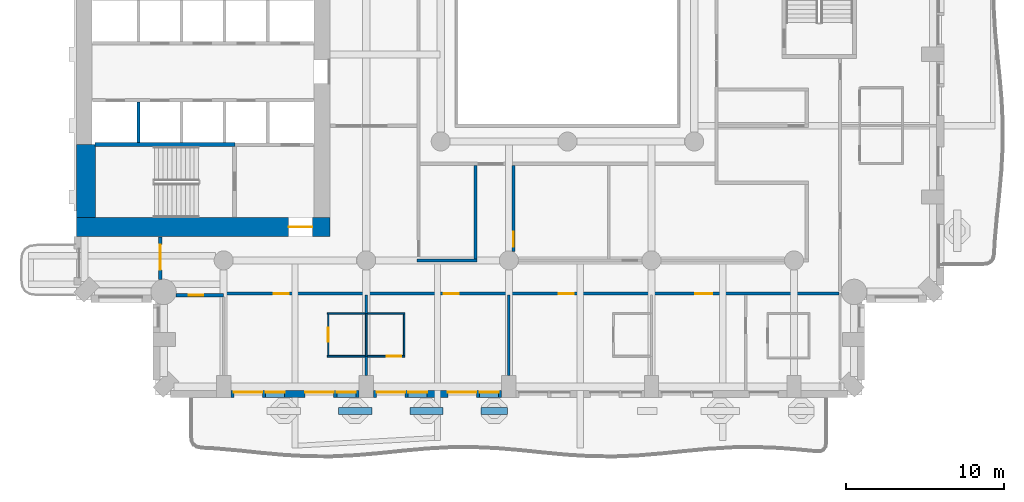
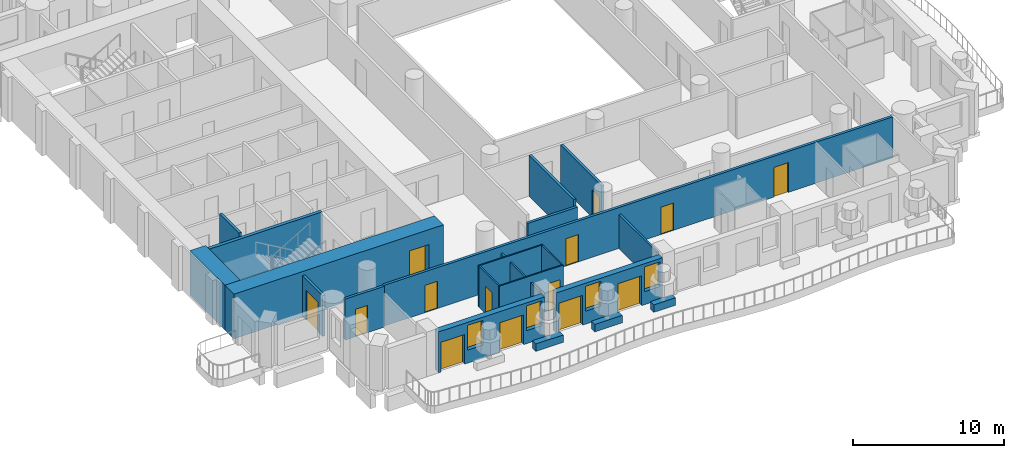
# One storey, part 3 of 19: 23 walls, 14 doors, 4 windows, 18 openings.
"""IFC4 building model written with IfcOpenShell, lengths in metres."""

from ifc_helpers import new_model, si_unit, direction, frame, frame_2d, origin, place, context, subcontext, project, spatial, rectangle, extrude, material, layer, layer_set, type_object, element, fill, save


model = new_model("IFC4")

# Units and contexts
model_context = context("Model", 3, precision=1e-05, world=origin(), true_north=direction((0.0, 1.0)))
body_context = subcontext(model_context, "Body", "Model", "MODEL_VIEW")
ifc_project = project(units=[si_unit("LENGTHUNIT", "METRE"), si_unit("AREAUNIT", "SQUARE_METRE"), si_unit("VOLUMEUNIT", "CUBIC_METRE"), si_unit("PLANEANGLEUNIT", "RADIAN"), si_unit("MASSUNIT", "GRAM", prefix="KILO")], contexts=[model_context])

# Site, building, storey
site_placement = place(None, origin())
site = spatial("IfcSite", under=ifc_project, at=site_placement, CompositionType="ELEMENT")
building_placement = place(site_placement, origin())
building = spatial("IfcBuilding", under=site, at=building_placement, Name="Cypress Arch Tower", CompositionType="ELEMENT")
storey_placement = place(building_placement, frame((0.0, 0.0, 66.300048828125)))
storey = spatial("IfcBuildingStorey", under=building, at=storey_placement, Name="L10", CompositionType="ELEMENT", Elevation=66.300048828125)

# Walls
ifc_material_1 = material(Name="Concrete C40/50, waterproofed", Category="concrete")
ifc_layer_1 = layer(ifc_material_1, 0.449951171875)
ifc_layer_set_1 = layer_set([ifc_layer_1], Name="Balcony planter wall PW450")
wall_type_1 = type_object("IfcWallType", Name="Balcony planter wall PW450", PredefinedType="SOLIDWALL", material=ifc_layer_set_1)
for number, where, z_axis, x_axis, name in (
    (1, (-13.449951171875, -27.0, 0.0), (0.0, 0.0, 1.0), (1.0, 0.0, 0.0), "Balcony planter wall L10-A03.2"),
    (2, (-8.949951171875, -27.0, 0.0), (0.0, 0.0, 1.0), (1.0, 0.0, 0.0), "Balcony planter wall L10-A03.3"),
):
    element("IfcWall", number, at=place(storey_placement, frame(where, z_axis=z_axis, x_axis=x_axis)), inside=storey, type_object=wall_type_1, Name=name, PredefinedType="SOLIDWALL", context=body_context, shape_type="SweptSolid", body=[
        extrude(rectangle(XDim=2.099853515625, YDim=0.449951171875, at=frame_2d((1.0498046875, 0.0))), origin(), (0.0, 0.0, 1.0), 0.599853515625),
    ])
wall_1_placement = place(storey_placement, frame((-4.449951171875, -27.0, 0.0), z_axis=(0.0, 0.0, 1.0), x_axis=(1.0, 0.0, 0.0)))
element("IfcWall", 3, at=wall_1_placement, inside=storey, type_object=wall_type_1, Name="Balcony planter wall L10-A03.4", PredefinedType="SOLIDWALL", context=body_context, shape_type="SweptSolid", body=[
    extrude(rectangle(XDim=1.64990234375, YDim=0.449951171875, at=frame_2d((0.824951171875, 0.0))), origin(), (0.0, 0.0, 1.0), 0.599853515625),
])

# Wall, openings, doors, windows
ifc_material_2 = material(Name="Brick (red buff blend)", Category="masonry")
ifc_layer_2 = layer(ifc_material_2, 0.449951171875)
ifc_layer_set_2 = layer_set([ifc_layer_2], Name="Brick pier and spandrel wall BW450")
wall_type_2 = type_object("IfcWallType", Name="Brick pier and spandrel wall BW450", PredefinedType="SOLIDWALL", material=ifc_layer_set_2)
wall_2_placement = place(storey_placement, frame((-20.25, -25.925048828125, 0.0), z_axis=(0.0, 0.0, 1.0), x_axis=(1.0, 0.0, 0.0)))
wall_2 = element("IfcWall", 4, at=wall_2_placement, inside=storey, type_object=wall_type_2, Name="Brick wall L10 A03.1", PredefinedType="SOLIDWALL", context=body_context, shape_type="SweptSolid", body=[
    extrude(rectangle(XDim=8.10009765625, YDim=0.449951171875, at=frame_2d((4.050048828125, 0.0))), origin(), (0.0, 0.0, 1.0), 3.300048828125),
])
opening_1_placement = place(wall_2_placement, frame((0.199951171875, 0.0, 0.0)))
opening_1 = element("IfcOpeningElement", 5, at=opening_1_placement, cuts=wall_2, Name="Opening D-L10-A03.1.1", PredefinedType="OPENING", context=body_context, shape_type="SweptSolid", body=[
    extrude(rectangle(XDim=1.800048828125, YDim=2.39990234375, at=frame_2d((0.89990234375, 1.199951171875))), frame((0.0, 0.23486328125, 0.0), z_axis=(0.0, -1.0, 0.0), x_axis=(1.0, 0.0, 0.0)), (0.0, 0.0, 1.0), 0.469970703125),
])
opening_2_placement = place(wall_2_placement, frame((2.199951171875, 0.0, 1.050048828125)))
opening_2 = element("IfcOpeningElement", 6, at=opening_2_placement, cuts=wall_2, Name="Opening W120HD", PredefinedType="OPENING", context=body_context, shape_type="SweptSolid", body=[
    extrude(rectangle(XDim=1.199951171875, YDim=2.0, at=frame_2d((0.60009765625, 1.0))), frame((0.0, 0.23486328125, 0.0), z_axis=(0.0, -1.0, 0.0), x_axis=(1.0, 0.0, 0.0)), (0.0, 0.0, 1.0), 0.469970703125),
])
opening_3_placement = place(wall_2_placement, frame((4.699951171875, 0.0, 0.0)))
opening_3 = element("IfcOpeningElement", 7, at=opening_3_placement, cuts=wall_2, Name="Opening D-L10-A03.1.2", PredefinedType="OPENING", context=body_context, shape_type="SweptSolid", body=[
    extrude(rectangle(XDim=1.800048828125, YDim=2.39990234375, at=frame_2d((0.89990234375, 1.199951171875))), frame((0.0, 0.23486328125, 0.0), z_axis=(0.0, -1.0, 0.0), x_axis=(1.0, 0.0, 0.0)), (0.0, 0.0, 1.0), 0.469970703125),
])
opening_4_placement = place(wall_2_placement, frame((6.699951171875, 0.0, 1.050048828125)))
opening_4 = element("IfcOpeningElement", 8, at=opening_4_placement, cuts=wall_2, Name="Opening W120HD", PredefinedType="OPENING", context=body_context, shape_type="SweptSolid", body=[
    extrude(rectangle(XDim=1.199951171875, YDim=2.0, at=frame_2d((0.60009765625, 1.0))), frame((0.0, 0.23486328125, 0.0), z_axis=(0.0, -1.0, 0.0), x_axis=(1.0, 0.0, 0.0)), (0.0, 0.0, 1.0), 0.469970703125),
])
ifc_material_3 = material(Name="Anodised aluminium, bronze finish, laminated low-emissivity double glazing, large-missile impact rated", Category="aluminium")
door_type_1 = type_object("IfcDoorType", Name="Balcony sliding door 1800x2400", OperationType="SLIDING_TO_LEFT", PredefinedType="DOOR", material=ifc_material_3)
door_1_placement = place(opening_1_placement, origin())
door_1 = element("IfcDoor", 9, at=door_1_placement, inside=storey, type_object=door_type_1, Name="Balcony door L10 A03.1.1", OperationType="SLIDING_TO_LEFT", OverallHeight=2.39990234375, OverallWidth=1.800048828125, PredefinedType="DOOR", context=body_context, shape_type="SweptSolid", body=[
    extrude(rectangle(XDim=1.800048828125, YDim=2.39990234375, at=frame_2d((0.89990234375, 1.199951171875))), frame((0.0, 0.1298828125, 0.0), z_axis=(0.0, -1.0, 0.0), x_axis=(1.0, 0.0, 0.0)), (0.0, 0.0, 1.0), 0.050048828125),
])
fill(opening_1, door_1)
door_2_placement = place(opening_3_placement, origin())
door_2 = element("IfcDoor", 10, at=door_2_placement, inside=storey, type_object=door_type_1, Name="Balcony door L10 A03.1.2", OperationType="SLIDING_TO_LEFT", OverallHeight=2.39990234375, OverallWidth=1.800048828125, PredefinedType="DOOR", context=body_context, shape_type="SweptSolid", body=[
    extrude(rectangle(XDim=1.800048828125, YDim=2.39990234375, at=frame_2d((0.89990234375, 1.199951171875))), frame((0.0, 0.1298828125, 0.0), z_axis=(0.0, -1.0, 0.0), x_axis=(1.0, 0.0, 0.0)), (0.0, 0.0, 1.0), 0.050048828125),
])
fill(opening_3, door_2)
ifc_material_4 = material(Name="Anodised aluminium, bronze finish, laminated low-emissivity double glazing, large-missile impact rated", Category="aluminium")
window_type = type_object("IfcWindowType", Name="Window Hotel 1200x2000 debris-rated", PartitioningType="SINGLE_PANEL", PredefinedType="WINDOW", material=ifc_material_4)
window_1_placement = place(opening_2_placement, origin())
window_1 = element("IfcWindow", 11, at=window_1_placement, inside=storey, type_object=window_type, Name="Window L10 A03.1.1", OverallHeight=2.0, OverallWidth=1.199951171875, PartitioningType="SINGLE_PANEL", PredefinedType="WINDOW", context=body_context, shape_type="SweptSolid", body=[
    extrude(rectangle(XDim=1.199951171875, YDim=2.0, at=frame_2d((0.60009765625, 1.0))), frame((0.0, 0.135009765625, 0.0), z_axis=(0.0, -1.0, 0.0), x_axis=(1.0, 0.0, 0.0)), (0.0, 0.0, 1.0), 0.06005859375),
])
fill(opening_2, window_1)
window_2_placement = place(opening_4_placement, origin())
window_2 = element("IfcWindow", 12, at=window_2_placement, inside=storey, type_object=window_type, Name="Window L10 A03.1.2", OverallHeight=2.0, OverallWidth=1.199951171875, PartitioningType="SINGLE_PANEL", PredefinedType="WINDOW", context=body_context, shape_type="SweptSolid", body=[
    extrude(rectangle(XDim=1.199951171875, YDim=2.0, at=frame_2d((0.60009765625, 1.0))), frame((0.0, 0.135009765625, 0.0), z_axis=(0.0, -1.0, 0.0), x_axis=(1.0, 0.0, 0.0)), (0.0, 0.0, 1.0), 0.06005859375),
])
fill(opening_4, window_2)

wall_3_placement = place(storey_placement, frame((-11.25, -25.925048828125, 0.0), z_axis=(0.0, 0.0, 1.0), x_axis=(1.0, 0.0, 0.0)))
wall_3 = element("IfcWall", 13, at=wall_3_placement, inside=storey, type_object=wall_type_2, Name="Brick wall L10 A03.2", PredefinedType="SOLIDWALL", context=body_context, shape_type="SweptSolid", body=[
    extrude(rectangle(XDim=8.10009765625, YDim=0.449951171875, at=frame_2d((4.050048828125, 0.0))), origin(), (0.0, 0.0, 1.0), 3.300048828125),
])
opening_5_placement = place(wall_3_placement, frame((0.199951171875, 0.0, 0.0)))
opening_5 = element("IfcOpeningElement", 14, at=opening_5_placement, cuts=wall_3, Name="Opening D-L10-A03.2.1", PredefinedType="OPENING", context=body_context, shape_type="SweptSolid", body=[
    extrude(rectangle(XDim=1.800048828125, YDim=2.39990234375, at=frame_2d((0.89990234375, 1.199951171875))), frame((0.0, 0.23486328125, 0.0), z_axis=(0.0, -1.0, 0.0), x_axis=(1.0, 0.0, 0.0)), (0.0, 0.0, 1.0), 0.469970703125),
])
opening_6_placement = place(wall_3_placement, frame((2.199951171875, 0.0, 1.050048828125)))
opening_6 = element("IfcOpeningElement", 15, at=opening_6_placement, cuts=wall_3, Name="Opening W120HD", PredefinedType="OPENING", context=body_context, shape_type="SweptSolid", body=[
    extrude(rectangle(XDim=1.199951171875, YDim=2.0, at=frame_2d((0.60009765625, 1.0))), frame((0.0, 0.23486328125, 0.0), z_axis=(0.0, -1.0, 0.0), x_axis=(1.0, 0.0, 0.0)), (0.0, 0.0, 1.0), 0.469970703125),
])
opening_7_placement = place(wall_3_placement, frame((4.699951171875, 0.0, 0.0)))
opening_7 = element("IfcOpeningElement", 16, at=opening_7_placement, cuts=wall_3, Name="Opening D-L10-A03.2.2", PredefinedType="OPENING", context=body_context, shape_type="SweptSolid", body=[
    extrude(rectangle(XDim=1.800048828125, YDim=2.39990234375, at=frame_2d((0.89990234375, 1.199951171875))), frame((0.0, 0.23486328125, 0.0), z_axis=(0.0, -1.0, 0.0), x_axis=(1.0, 0.0, 0.0)), (0.0, 0.0, 1.0), 0.469970703125),
])
opening_8_placement = place(wall_3_placement, frame((6.699951171875, 0.0, 1.050048828125)))
opening_8 = element("IfcOpeningElement", 17, at=opening_8_placement, cuts=wall_3, Name="Opening W120HD", PredefinedType="OPENING", context=body_context, shape_type="SweptSolid", body=[
    extrude(rectangle(XDim=1.199951171875, YDim=2.0, at=frame_2d((0.60009765625, 1.0))), frame((0.0, 0.23486328125, 0.0), z_axis=(0.0, -1.0, 0.0), x_axis=(1.0, 0.0, 0.0)), (0.0, 0.0, 1.0), 0.469970703125),
])
door_3_placement = place(opening_5_placement, origin())
door_3 = element("IfcDoor", 18, at=door_3_placement, inside=storey, type_object=door_type_1, Name="Balcony door L10 A03.2.1", OperationType="SLIDING_TO_LEFT", OverallHeight=2.39990234375, OverallWidth=1.800048828125, PredefinedType="DOOR", context=body_context, shape_type="SweptSolid", body=[
    extrude(rectangle(XDim=1.800048828125, YDim=2.39990234375, at=frame_2d((0.89990234375, 1.199951171875))), frame((0.0, 0.1298828125, 0.0), z_axis=(0.0, -1.0, 0.0), x_axis=(1.0, 0.0, 0.0)), (0.0, 0.0, 1.0), 0.050048828125),
])
fill(opening_5, door_3)
door_4_placement = place(opening_7_placement, origin())
door_4 = element("IfcDoor", 19, at=door_4_placement, inside=storey, type_object=door_type_1, Name="Balcony door L10 A03.2.2", OperationType="SLIDING_TO_LEFT", OverallHeight=2.39990234375, OverallWidth=1.800048828125, PredefinedType="DOOR", context=body_context, shape_type="SweptSolid", body=[
    extrude(rectangle(XDim=1.800048828125, YDim=2.39990234375, at=frame_2d((0.89990234375, 1.199951171875))), frame((0.0, 0.1298828125, 0.0), z_axis=(0.0, -1.0, 0.0), x_axis=(1.0, 0.0, 0.0)), (0.0, 0.0, 1.0), 0.050048828125),
])
fill(opening_7, door_4)
window_3_placement = place(opening_6_placement, origin())
window_3 = element("IfcWindow", 20, at=window_3_placement, inside=storey, type_object=window_type, Name="Window L10 A03.2.1", OverallHeight=2.0, OverallWidth=1.199951171875, PartitioningType="SINGLE_PANEL", PredefinedType="WINDOW", context=body_context, shape_type="SweptSolid", body=[
    extrude(rectangle(XDim=1.199951171875, YDim=2.0, at=frame_2d((0.60009765625, 1.0))), frame((0.0, 0.135009765625, 0.0), z_axis=(0.0, -1.0, 0.0), x_axis=(1.0, 0.0, 0.0)), (0.0, 0.0, 1.0), 0.06005859375),
])
fill(opening_6, window_3)
window_4_placement = place(opening_8_placement, origin())
window_4 = element("IfcWindow", 21, at=window_4_placement, inside=storey, type_object=window_type, Name="Window L10 A03.2.2", OverallHeight=2.0, OverallWidth=1.199951171875, PartitioningType="SINGLE_PANEL", PredefinedType="WINDOW", context=body_context, shape_type="SweptSolid", body=[
    extrude(rectangle(XDim=1.199951171875, YDim=2.0, at=frame_2d((0.60009765625, 1.0))), frame((0.0, 0.135009765625, 0.0), z_axis=(0.0, -1.0, 0.0), x_axis=(1.0, 0.0, 0.0)), (0.0, 0.0, 1.0), 0.06005859375),
])
fill(opening_8, window_4)

# Wall, opening, door
ifc_material_5 = material(Name="Concrete C80/95", Category="concrete")
ifc_layer_3 = layer(ifc_material_5, 1.199951171875)
ifc_layer_set_3 = layer_set([ifc_layer_3], Name="Core wall CW1200 C80/95")
wall_type_3 = type_object("IfcWallType", Name="Core wall CW1200 C80/95", PredefinedType="SHEAR", material=ifc_layer_set_3)
wall_4_placement = place(storey_placement, frame((-30.0, -15.39990234375, 0.0), z_axis=(0.0, 0.0, 1.0), x_axis=(1.0, 0.0, 0.0)))
wall_4 = element("IfcWall", 22, at=wall_4_placement, inside=storey, type_object=wall_type_3, Name="Core wall", PredefinedType="SHEAR", context=body_context, shape_type="SweptSolid", body=[
    extrude(rectangle(XDim=16.0, YDim=1.199951171875, at=frame_2d((8.0, 0.0))), origin(), (0.0, 0.0, 1.0), 3.599853515625),
])
opening_9_placement = place(wall_4_placement, frame((13.39990234375, 0.0, 0.0)))
opening_9 = element("IfcOpeningElement", 23, at=opening_9_placement, cuts=wall_4, Name="Opening D07", PredefinedType="OPENING", context=body_context, shape_type="SweptSolid", body=[
    extrude(rectangle(XDim=1.5, YDim=2.39990234375, at=frame_2d((0.75, 1.199951171875))), frame((0.0, 0.60986328125, 0.0), z_axis=(0.0, -1.0, 0.0), x_axis=(1.0, 0.0, 0.0)), (0.0, 0.0, 1.0), 1.219970703125),
])
ifc_material_6 = material(Name="Steel framed glazed door, fire resisting", Category="steel")
door_type_2 = type_object("IfcDoorType", Name="Lobby door D07 1500x2400", OperationType="DOUBLE_DOOR_SINGLE_SWING", PredefinedType="DOOR", material=ifc_material_6)
door_5_placement = place(opening_9_placement, origin())
door_5 = element("IfcDoor", 24, at=door_5_placement, inside=storey, type_object=door_type_2, Name="Lobby door", OperationType="DOUBLE_DOOR_SINGLE_SWING", OverallHeight=2.39990234375, OverallWidth=1.5, PredefinedType="DOOR", context=body_context, shape_type="SweptSolid", body=[
    extrude(rectangle(XDim=1.5, YDim=2.39990234375, at=frame_2d((0.75, 1.199951171875))), frame((0.0, 0.02490234375, 0.0), z_axis=(0.0, -1.0, 0.0), x_axis=(1.0, 0.0, 0.0)), (0.0, 0.0, 1.0), 0.050048828125),
])
fill(opening_9, door_5)

# Wall
wall_5_placement = place(storey_placement, frame((-29.39990234375, -14.800048828125, 0.0), z_axis=(0.0, 0.0, 1.0), x_axis=(0.0, 1.0, 0.0)))
element("IfcWall", 25, at=wall_5_placement, inside=storey, type_object=wall_type_3, Name="Core wall", PredefinedType="SHEAR", context=body_context, shape_type="SweptSolid", body=[
    extrude(rectangle(XDim=4.60009765625, YDim=1.199951171875, at=frame_2d((2.300048828125, 0.0))), origin(), (0.0, 0.0, 1.0), 3.599853515625),
])

# Wall, opening, door
ifc_material_7 = material(Name="Concrete blockwork, plastered, rated", Category="masonry")
ifc_layer_4 = layer(ifc_material_7, 0.199951171875)
ifc_layer_set_4 = layer_set([ifc_layer_4], Name="Corridor wall FW200")
wall_type_4 = type_object("IfcWallType", Name="Corridor wall FW200", PredefinedType="PARTITIONING", material=ifc_layer_set_4)
wall_6_placement = place(storey_placement, frame((-24.699951171875, -18.7001953125, 0.0), z_axis=(0.0, 0.0, 1.0), x_axis=(0.0, 1.0, 0.0)))
wall_6 = element("IfcWall", 26, at=wall_6_placement, inside=storey, type_object=wall_type_4, Name="Corridor wall", PredefinedType="PARTITIONING", context=body_context, shape_type="SweptSolid", body=[
    extrude(rectangle(XDim=2.670166015625, YDim=0.199951171875, at=frame_2d((1.3349609375, 0.0))), origin(), (0.0, 0.0, 1.0), 3.300048828125),
])
opening_10_placement = place(wall_6_placement, frame((0.60009765625, 0.0, 0.0)))
opening_10 = element("IfcOpeningElement", 27, at=opening_10_placement, cuts=wall_6, Name="Opening D10", PredefinedType="OPENING", context=body_context, shape_type="SweptSolid", body=[
    extrude(rectangle(XDim=1.60009765625, YDim=2.39990234375, at=frame_2d((0.800048828125, 1.199951171875))), frame((0.0, 0.10986328125, 0.0), z_axis=(0.0, -1.0, 0.0), x_axis=(1.0, 0.0, 0.0)), (0.0, 0.0, 1.0), 0.219970703125),
])
ifc_material_8 = material(Name="Black aluminium glazed door", Category="aluminium")
door_type_3 = type_object("IfcDoorType", Name="Amenity door D10 1600x2400", OperationType="DOUBLE_DOOR_SINGLE_SWING", PredefinedType="DOOR", material=ifc_material_8)
door_6_placement = place(opening_10_placement, origin())
door_6 = element("IfcDoor", 28, at=door_6_placement, inside=storey, type_object=door_type_3, Name="Amenity door", OperationType="DOUBLE_DOOR_SINGLE_SWING", OverallHeight=2.39990234375, OverallWidth=1.60009765625, PredefinedType="DOOR", context=body_context, shape_type="SweptSolid", body=[
    extrude(rectangle(XDim=1.60009765625, YDim=2.39990234375, at=frame_2d((0.800048828125, 1.199951171875))), frame((0.0, 0.02490234375, 0.0), z_axis=(0.0, -1.0, 0.0), x_axis=(1.0, 0.0, 0.0)), (0.0, 0.0, 1.0), 0.050048828125),
])
fill(opening_10, door_6)

wall_7_placement = place(storey_placement, frame((-23.7001953125, -19.699951171875, 0.0), z_axis=(0.0, 0.0, 1.0), x_axis=(1.0, 0.0, 0.0)))
wall_7 = element("IfcWall", 29, at=wall_7_placement, inside=storey, type_object=wall_type_4, Name="Corridor wall", PredefinedType="PARTITIONING", context=body_context, shape_type="SweptSolid", body=[
    extrude(rectangle(XDim=3.000244140625, YDim=0.199951171875, at=frame_2d((1.5, 0.0))), origin(), (0.0, 0.0, 1.0), 3.300048828125),
])
opening_11_placement = place(wall_7_placement, frame((0.800048828125, 0.0, 0.0)))
opening_11 = element("IfcOpeningElement", 30, at=opening_11_placement, cuts=wall_7, Name="Opening D05", PredefinedType="OPENING", context=body_context, shape_type="SweptSolid", body=[
    extrude(rectangle(XDim=0.89990234375, YDim=2.199951171875, at=frame_2d((0.449951171875, 1.10009765625))), frame((0.0, 0.10986328125, 0.0), z_axis=(0.0, -1.0, 0.0), x_axis=(1.0, 0.0, 0.0)), (0.0, 0.0, 1.0), 0.219970703125),
])
ifc_material_9 = material(Name="Timber flush door", Category="wood")
door_type_4 = type_object("IfcDoorType", Name="Service door D05 900x2200", OperationType="SINGLE_SWING_LEFT", PredefinedType="DOOR", material=ifc_material_9)
door_7_placement = place(opening_11_placement, origin())
door_7 = element("IfcDoor", 31, at=door_7_placement, inside=storey, type_object=door_type_4, Name="Service door", OperationType="SINGLE_SWING_RIGHT", OverallHeight=2.199951171875, OverallWidth=0.89990234375, PredefinedType="DOOR", context=body_context, shape_type="SweptSolid", body=[
    extrude(rectangle(XDim=0.89990234375, YDim=2.199951171875, at=frame_2d((0.449951171875, 1.10009765625))), frame((0.0, 0.02490234375, 0.0), z_axis=(0.0, -1.0, 0.0), x_axis=(1.0, 0.0, 0.0)), (0.0, 0.0, 1.0), 0.050048828125),
])
fill(opening_11, door_7)

# Wall, openings, doors
wall_8_placement = place(storey_placement, frame((-20.699951171875, -19.60009765625, 0.0), z_axis=(0.0, 0.0, 1.0), x_axis=(1.0, 0.0, 0.0)))
wall_8 = element("IfcWall", 32, at=wall_8_placement, inside=storey, type_object=wall_type_4, Name="Corridor wall", PredefinedType="PARTITIONING", context=body_context, shape_type="SweptSolid", body=[
    extrude(rectangle(XDim=38.824951171875, YDim=0.199951171875, at=frame_2d((19.41259765625, 0.0))), origin(), (0.0, 0.0, 1.0), 3.300048828125),
])
opening_12_placement = place(wall_8_placement, frame((3.14990234375, 0.0, 0.0)))
opening_12 = element("IfcOpeningElement", 33, at=opening_12_placement, cuts=wall_8, Name="Opening D02", PredefinedType="OPENING", context=body_context, shape_type="SweptSolid", body=[
    extrude(rectangle(XDim=0.949951171875, YDim=2.199951171875, at=frame_2d((0.47509765625, 1.10009765625))), frame((0.0, 0.10986328125, 0.0), z_axis=(0.0, -1.0, 0.0), x_axis=(1.0, 0.0, 0.0)), (0.0, 0.0, 1.0), 0.219970703125),
])
opening_13_placement = place(wall_8_placement, frame((13.89990234375, 0.0, 0.0)))
opening_13 = element("IfcOpeningElement", 34, at=opening_13_placement, cuts=wall_8, Name="Opening D02", PredefinedType="OPENING", context=body_context, shape_type="SweptSolid", body=[
    extrude(rectangle(XDim=0.949951171875, YDim=2.199951171875, at=frame_2d((0.47509765625, 1.10009765625))), frame((0.0, 0.10986328125, 0.0), z_axis=(0.0, -1.0, 0.0), x_axis=(1.0, 0.0, 0.0)), (0.0, 0.0, 1.0), 0.219970703125),
])
opening_14_placement = place(wall_8_placement, frame((21.14990234375, 0.0, 0.0)))
opening_14 = element("IfcOpeningElement", 35, at=opening_14_placement, cuts=wall_8, Name="Opening D02", PredefinedType="OPENING", context=body_context, shape_type="SweptSolid", body=[
    extrude(rectangle(XDim=0.949951171875, YDim=2.199951171875, at=frame_2d((0.47509765625, 1.10009765625))), frame((0.0, 0.10986328125, 0.0), z_axis=(0.0, -1.0, 0.0), x_axis=(1.0, 0.0, 0.0)), (0.0, 0.0, 1.0), 0.219970703125),
])
opening_15_placement = place(wall_8_placement, frame((29.75, 0.0, 0.0)))
opening_15 = element("IfcOpeningElement", 36, at=opening_15_placement, cuts=wall_8, Name="Opening D01", PredefinedType="OPENING", context=body_context, shape_type="SweptSolid", body=[
    extrude(rectangle(XDim=1.10009765625, YDim=2.39990234375, at=frame_2d((0.550048828125, 1.199951171875))), frame((0.0, 0.10986328125, 0.0), z_axis=(0.0, -1.0, 0.0), x_axis=(1.0, 0.0, 0.0)), (0.0, 0.0, 1.0), 0.219970703125),
])
ifc_material_10 = material(Name="Timber flush door, fire resisting", Category="wood")
door_type_5 = type_object("IfcDoorType", Name="Room door D02 950x2200", OperationType="SINGLE_SWING_LEFT", PredefinedType="DOOR", material=ifc_material_10)
door_8_placement = place(opening_12_placement, origin())
door_8 = element("IfcDoor", 37, at=door_8_placement, inside=storey, type_object=door_type_5, Name="Room door", OperationType="SINGLE_SWING_RIGHT", OverallHeight=2.199951171875, OverallWidth=0.949951171875, PredefinedType="DOOR", context=body_context, shape_type="SweptSolid", body=[
    extrude(rectangle(XDim=0.949951171875, YDim=2.199951171875, at=frame_2d((0.47509765625, 1.10009765625))), frame((0.0, 0.02490234375, 0.0), z_axis=(0.0, -1.0, 0.0), x_axis=(1.0, 0.0, 0.0)), (0.0, 0.0, 1.0), 0.050048828125),
])
fill(opening_12, door_8)
door_9_placement = place(opening_13_placement, origin())
door_9 = element("IfcDoor", 38, at=door_9_placement, inside=storey, type_object=door_type_5, Name="Room door", OperationType="SINGLE_SWING_RIGHT", OverallHeight=2.199951171875, OverallWidth=0.949951171875, PredefinedType="DOOR", context=body_context, shape_type="SweptSolid", body=[
    extrude(rectangle(XDim=0.949951171875, YDim=2.199951171875, at=frame_2d((0.47509765625, 1.10009765625))), frame((0.0, 0.02490234375, 0.0), z_axis=(0.0, -1.0, 0.0), x_axis=(1.0, 0.0, 0.0)), (0.0, 0.0, 1.0), 0.050048828125),
])
fill(opening_13, door_9)
door_10_placement = place(opening_14_placement, origin())
door_10 = element("IfcDoor", 39, at=door_10_placement, inside=storey, type_object=door_type_5, Name="Room door", OperationType="SINGLE_SWING_LEFT", OverallHeight=2.199951171875, OverallWidth=0.949951171875, PredefinedType="DOOR", context=body_context, shape_type="SweptSolid", body=[
    extrude(rectangle(XDim=0.949951171875, YDim=2.199951171875, at=frame_2d((0.47509765625, 1.10009765625))), frame((0.0, 0.02490234375, 0.0), z_axis=(0.0, -1.0, 0.0), x_axis=(1.0, 0.0, 0.0)), (0.0, 0.0, 1.0), 0.050048828125),
])
fill(opening_14, door_10)
ifc_material_11 = material(Name="Timber flush door, fire resisting, self-closing", Category="wood")
door_type_6 = type_object("IfcDoorType", Name="Unit entrance door D01 1100x2400", OperationType="SINGLE_SWING_LEFT", PredefinedType="DOOR", material=ifc_material_11)
door_11_placement = place(opening_15_placement, origin())
door_11 = element("IfcDoor", 40, at=door_11_placement, inside=storey, type_object=door_type_6, Name="Unit entrance door", OperationType="SINGLE_SWING_LEFT", OverallHeight=2.39990234375, OverallWidth=1.10009765625, PredefinedType="DOOR", context=body_context, shape_type="SweptSolid", body=[
    extrude(rectangle(XDim=1.10009765625, YDim=2.39990234375, at=frame_2d((0.550048828125, 1.199951171875))), frame((0.0, 0.02490234375, 0.0), z_axis=(0.0, -1.0, 0.0), x_axis=(1.0, 0.0, 0.0)), (0.0, 0.0, 1.0), 0.050048828125),
])
fill(opening_15, door_11)

# Walls
wall_9_placement = place(storey_placement, frame((-8.5, -17.5, 0.0), z_axis=(0.0, 0.0, 1.0), x_axis=(1.0, 0.0, 0.0)))
element("IfcWall", 41, at=wall_9_placement, inside=storey, type_object=wall_type_4, Name="Corridor wall", PredefinedType="PARTITIONING", context=body_context, shape_type="SweptSolid", body=[
    extrude(rectangle(XDim=3.800048828125, YDim=0.199951171875, at=frame_2d((1.89990234375, 0.0))), origin(), (0.0, 0.0, 1.0), 2.75),
])
wall_10_placement = place(storey_placement, frame((-4.800048828125, -17.39990234375, 0.0), z_axis=(0.0, 0.0, 1.0), x_axis=(0.0, 1.0, 0.0)))
element("IfcWall", 42, at=wall_10_placement, inside=storey, type_object=wall_type_4, Name="Corridor wall", PredefinedType="PARTITIONING", context=body_context, shape_type="SweptSolid", body=[
    extrude(rectangle(XDim=5.89990234375, YDim=0.199951171875, at=frame_2d((2.949951171875, 0.0))), origin(), (0.0, 0.0, 1.0), 3.300048828125),
])

# Wall, opening, door
wall_11_placement = place(storey_placement, frame((-2.39990234375, -16.943359375, 0.0), z_axis=(0.0, 0.0, 1.0), x_axis=(0.0, 1.0, 0.0)))
wall_11 = element("IfcWall", 43, at=wall_11_placement, inside=storey, type_object=wall_type_4, Name="Corridor wall", PredefinedType="PARTITIONING", context=body_context, shape_type="SweptSolid", body=[
    extrude(rectangle(XDim=5.443359375, YDim=0.199951171875, at=frame_2d((2.7216796875, 0.0))), origin(), (0.0, 0.0, 1.0), 3.300048828125),
])
opening_16_placement = place(wall_11_placement, frame((0.300048828125, 0.0, 0.0)))
opening_16 = element("IfcOpeningElement", 44, at=opening_16_placement, cuts=wall_11, Name="Opening D02", PredefinedType="OPENING", context=body_context, shape_type="SweptSolid", body=[
    extrude(rectangle(XDim=0.949951171875, YDim=2.199951171875, at=frame_2d((0.47509765625, 1.10009765625))), frame((0.0, 0.10986328125, 0.0), z_axis=(0.0, -1.0, 0.0), x_axis=(1.0, 0.0, 0.0)), (0.0, 0.0, 1.0), 0.219970703125),
])
door_12_placement = place(opening_16_placement, origin())
door_12 = element("IfcDoor", 45, at=door_12_placement, inside=storey, type_object=door_type_5, Name="Room door", OperationType="SINGLE_SWING_RIGHT", OverallHeight=2.199951171875, OverallWidth=0.949951171875, PredefinedType="DOOR", context=body_context, shape_type="SweptSolid", body=[
    extrude(rectangle(XDim=0.949951171875, YDim=2.199951171875, at=frame_2d((0.47509765625, 1.10009765625))), frame((0.0, 0.02490234375, 0.0), z_axis=(0.0, -1.0, 0.0), x_axis=(1.0, 0.0, 0.0)), (0.0, 0.0, 1.0), 0.050048828125),
])
fill(opening_16, door_12)

# Walls
ifc_material_12 = material(Name="Blockwork, plastered both sides", Category="masonry")
ifc_layer_5 = layer(ifc_material_12, 0.14990234375)
ifc_layer_set_5 = layer_set([ifc_layer_5], Name="Partition PW150")
wall_type_5 = type_object("IfcWallType", Name="Partition PW150", PredefinedType="PARTITIONING", material=ifc_layer_set_5)
wall_12_placement = place(storey_placement, frame((-11.699951171875, -24.75, 0.0), z_axis=(0.0, 0.0, 1.0), x_axis=(0.0, 1.0, 0.0)))
element("IfcWall", 46, at=wall_12_placement, inside=storey, type_object=wall_type_5, Name="Partition", PredefinedType="PARTITIONING", context=body_context, shape_type="SweptSolid", body=[
    extrude(rectangle(XDim=1.179931640625, YDim=0.14990234375, at=frame_2d((0.58984375, 0.0))), origin(), (0.0, 0.0, 1.0), 2.75),
])
wall_13_placement = place(storey_placement, frame((-11.699951171875, -20.85009765625, 0.0), z_axis=(0.0, 0.0, 1.0), x_axis=(0.0, 1.0, 0.0)))
element("IfcWall", 47, at=wall_13_placement, inside=storey, type_object=wall_type_5, Name="Partition", PredefinedType="PARTITIONING", context=body_context, shape_type="SweptSolid", body=[
    extrude(rectangle(XDim=1.150146484375, YDim=0.14990234375, at=frame_2d((0.5751953125, 0.0))), origin(), (0.0, 0.0, 1.0), 2.75),
])
wall_14_placement = place(storey_placement, frame((-2.699951171875, -24.75, 0.0), z_axis=(0.0, 0.0, 1.0), x_axis=(0.0, 1.0, 0.0)))
element("IfcWall", 48, at=wall_14_placement, inside=storey, type_object=wall_type_5, Name="Partition", PredefinedType="PARTITIONING", context=body_context, shape_type="SweptSolid", body=[
    extrude(rectangle(XDim=5.050048828125, YDim=0.14990234375, at=frame_2d((2.52490234375, 0.0))), origin(), (0.0, 0.0, 1.0), 2.75),
])
ifc_material_13 = material(Name="Concrete C50/60", Category="concrete")
ifc_layer_6 = layer(ifc_material_13, 0.199951171875)
ifc_layer_set_6 = layer_set([ifc_layer_6], Name="Shaft wall SH200")
wall_type_6 = type_object("IfcWallType", Name="Shaft wall SH200", PredefinedType="SHEAR", material=ifc_layer_set_6)
wall_15_placement = place(storey_placement, frame((-26.080078125, -10.074951171875, 0.0), z_axis=(0.0, 0.0, 1.0), x_axis=(0.0, 1.0, 0.0)))
element("IfcWall", 49, at=wall_15_placement, inside=storey, type_object=wall_type_6, Name="Shaft wall", PredefinedType="SHEAR", context=body_context, shape_type="SweptSolid", body=[
    extrude(rectangle(XDim=2.574951171875, YDim=0.199951171875, at=frame_2d((1.28759765625, 0.0))), origin(), (0.0, 0.0, 1.0), 3.599853515625),
])
ifc_material_14 = material(Name="Concrete C50/60", Category="concrete")
ifc_layer_7 = layer(ifc_material_14, 0.25)
ifc_layer_set_7 = layer_set([ifc_layer_7], Name="Stair enclosure wall SW250")
wall_type_7 = type_object("IfcWallType", Name="Stair enclosure wall SW250", PredefinedType="SHEAR", material=ifc_layer_set_7)
wall_16_placement = place(storey_placement, frame((-28.81005859375, -10.199951171875, 0.0), z_axis=(0.0, 0.0, 1.0), x_axis=(1.0, 0.0, 0.0)))
element("IfcWall", 50, at=wall_16_placement, inside=storey, type_object=wall_type_7, Name="Stair enclosure wall", PredefinedType="SHEAR", context=body_context, shape_type="SweptSolid", body=[
    extrude(rectangle(XDim=8.830078125, YDim=0.25, at=frame_2d((4.4150390625, 0.0))), origin(), (0.0, 0.0, 1.0), 3.300048828125),
])

# Wall, opening, door
ifc_material_15 = material(Name="Moisture resistant board on steel studs, tiled", Category="steel")
ifc_layer_8 = layer(ifc_material_15, 0.10009765625)
ifc_layer_set_8 = layer_set([ifc_layer_8], Name="Wet wall PW100")
wall_type_8 = type_object("IfcWallType", Name="Wet wall PW100", PredefinedType="PARTITIONING", material=ifc_layer_set_8)
wall_17_placement = place(storey_placement, frame((-14.095947265625, -23.5, 0.0), z_axis=(0.0, 0.0, 1.0), x_axis=(0.0, 1.0, 0.0)))
wall_17 = element("IfcWall", 51, at=wall_17_placement, inside=storey, type_object=wall_type_8, Name="Wet wall", PredefinedType="PARTITIONING", context=body_context, shape_type="SweptSolid", body=[
    extrude(rectangle(XDim=2.60009765625, YDim=0.10009765625, at=frame_2d((1.300048828125, 0.0))), origin(), (0.0, 0.0, 1.0), 3.300048828125),
])
opening_17_placement = place(wall_17_placement, frame((0.85009765625, 0.0, 0.0)))
opening_17 = element("IfcOpeningElement", 52, at=opening_17_placement, cuts=wall_17, Name="Opening D03", PredefinedType="OPENING", context=body_context, shape_type="SweptSolid", body=[
    extrude(rectangle(XDim=0.89990234375, YDim=2.199951171875, at=frame_2d((0.449951171875, 1.10009765625))), frame((0.0, 0.06005859375, 0.0), z_axis=(0.0, -1.0, 0.0), x_axis=(1.0, 0.0, 0.0)), (0.0, 0.0, 1.0), 0.1201171875),
])
ifc_material_16 = material(Name="Timber flush door, moisture resistant", Category="wood")
door_type_7 = type_object("IfcDoorType", Name="Bathroom door D03 900x2200", OperationType="SINGLE_SWING_LEFT", PredefinedType="DOOR", material=ifc_material_16)
door_13_placement = place(opening_17_placement, origin())
door_13 = element("IfcDoor", 53, at=door_13_placement, inside=storey, type_object=door_type_7, Name="Bathroom door", OperationType="SINGLE_SWING_LEFT", OverallHeight=2.199951171875, OverallWidth=0.89990234375, PredefinedType="DOOR", context=body_context, shape_type="SweptSolid", body=[
    extrude(rectangle(XDim=0.89990234375, YDim=2.199951171875, at=frame_2d((0.449951171875, 1.10009765625))), frame((0.0, 0.02490234375, 0.0), z_axis=(0.0, -1.0, 0.0), x_axis=(1.0, 0.0, 0.0)), (0.0, 0.0, 1.0), 0.050048828125),
])
fill(opening_17, door_13)

wall_18_placement = place(storey_placement, frame((-14.14599609375, -23.550048828125, 0.0), z_axis=(0.0, 0.0, 1.0), x_axis=(1.0, 0.0, 0.0)))
wall_18 = element("IfcWall", 54, at=wall_18_placement, inside=storey, type_object=wall_type_8, Name="Wet wall", PredefinedType="PARTITIONING", context=body_context, shape_type="SweptSolid", body=[
    extrude(rectangle(XDim=4.89208984375, YDim=0.10009765625, at=frame_2d((2.446044921875, 0.0))), origin(), (0.0, 0.0, 1.0), 3.300048828125),
])
opening_18_placement = place(wall_18_placement, frame((3.75, 0.0, 0.0)))
opening_18 = element("IfcOpeningElement", 55, at=opening_18_placement, cuts=wall_18, Name="Opening D03", PredefinedType="OPENING", context=body_context, shape_type="SweptSolid", body=[
    extrude(rectangle(XDim=0.89990234375, YDim=2.199951171875, at=frame_2d((0.449951171875, 1.10009765625))), frame((0.0, 0.06005859375, 0.0), z_axis=(0.0, -1.0, 0.0), x_axis=(1.0, 0.0, 0.0)), (0.0, 0.0, 1.0), 0.1201171875),
])
door_14_placement = place(opening_18_placement, origin())
door_14 = element("IfcDoor", 56, at=door_14_placement, inside=storey, type_object=door_type_7, Name="Bathroom door", OperationType="SINGLE_SWING_RIGHT", OverallHeight=2.199951171875, OverallWidth=0.89990234375, PredefinedType="DOOR", context=body_context, shape_type="SweptSolid", body=[
    extrude(rectangle(XDim=0.89990234375, YDim=2.199951171875, at=frame_2d((0.449951171875, 1.10009765625))), frame((0.0, 0.02490234375, 0.0), z_axis=(0.0, -1.0, 0.0), x_axis=(1.0, 0.0, 0.0)), (0.0, 0.0, 1.0), 0.050048828125),
])
fill(opening_18, door_14)

# Walls
wall_19_placement = place(storey_placement, frame((-14.14599609375, -20.85009765625, 0.0), z_axis=(0.0, 0.0, 1.0), x_axis=(1.0, 0.0, 0.0)))
element("IfcWall", 57, at=wall_19_placement, inside=storey, type_object=wall_type_8, Name="Wet wall", PredefinedType="PARTITIONING", context=body_context, shape_type="SweptSolid", body=[
    extrude(rectangle(XDim=4.89208984375, YDim=0.10009765625, at=frame_2d((2.446044921875, 0.0))), origin(), (0.0, 0.0, 1.0), 3.300048828125),
])
wall_20_placement = place(storey_placement, frame((-11.699951171875, -23.570068359375, 0.0), z_axis=(0.0, 0.0, 1.0), x_axis=(0.0, 1.0, 0.0)))
element("IfcWall", 58, at=wall_20_placement, inside=storey, type_object=wall_type_8, Name="Wet wall", PredefinedType="PARTITIONING", context=body_context, shape_type="SweptSolid", body=[
    extrude(rectangle(XDim=2.719970703125, YDim=0.10009765625, at=frame_2d((1.35986328125, 0.0))), origin(), (0.0, 0.0, 1.0), 2.75),
])
wall_21_placement = place(storey_placement, frame((-9.303955078125, -23.5, 0.0), z_axis=(0.0, 0.0, 1.0), x_axis=(0.0, 1.0, 0.0)))
element("IfcWall", 59, at=wall_21_placement, inside=storey, type_object=wall_type_8, Name="Wet wall", PredefinedType="PARTITIONING", context=body_context, shape_type="SweptSolid", body=[
    extrude(rectangle(XDim=2.60009765625, YDim=0.10009765625, at=frame_2d((1.300048828125, 0.0))), origin(), (0.0, 0.0, 1.0), 3.300048828125),
])

save(model, "model.ifc")
